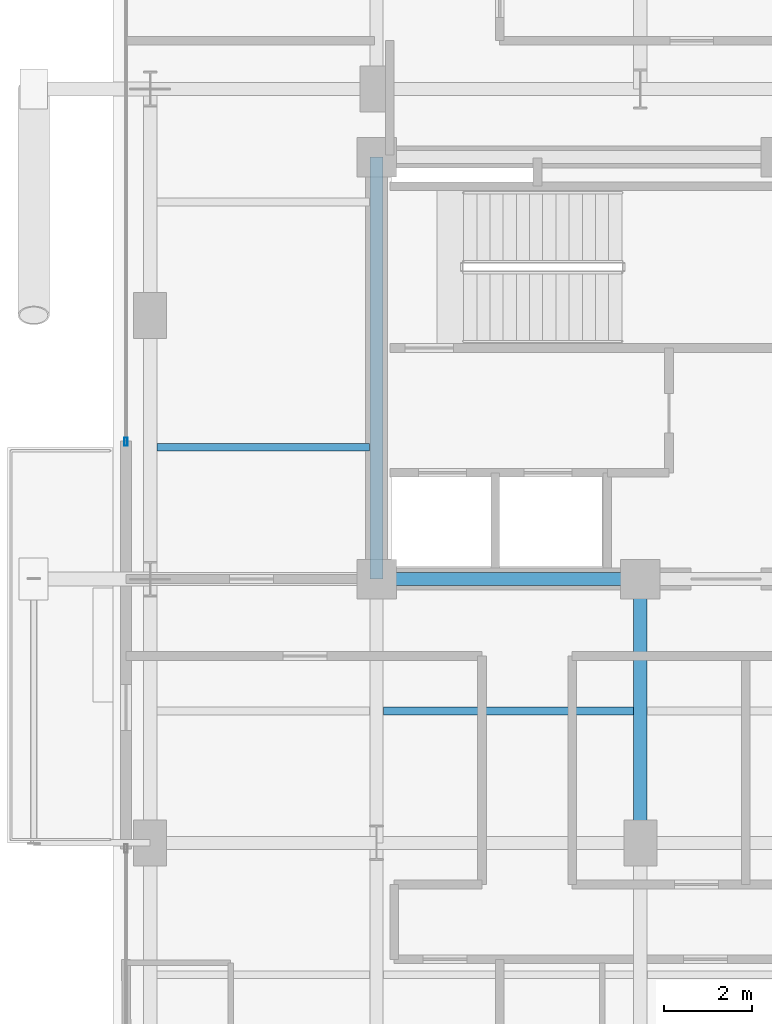
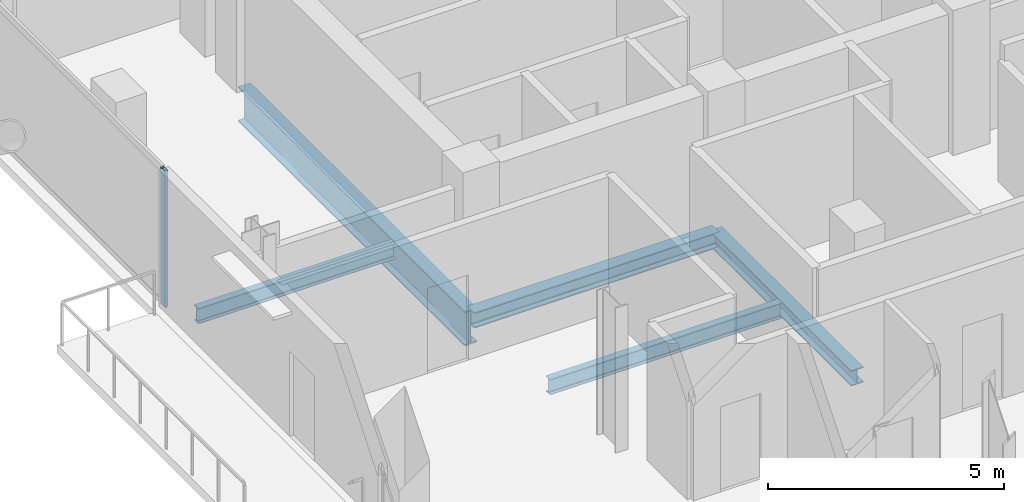
# One storey, part 7 of 22: 5 beams, 1 member, 1 element without a shape of its own.
"""IFC4 building model written with IfcOpenShell, lengths in metres."""

from ifc_helpers import new_model, si_unit, direction, frame, origin, origin_2d, place, context, subcontext, project, spatial, hollow_rectangle, i_section, extrude, material, layer, layer_set, material_profile, profile_set, type_object, element, aggregate, save


model = new_model("IFC4")

# Units and contexts
model_context = context("Model", 3, precision=1e-05, world=origin(), true_north=direction((0.0, 1.0)))
body_context = subcontext(model_context, "Body", "Model", "MODEL_VIEW")
ifc_project = project(units=[si_unit("LENGTHUNIT", "METRE"), si_unit("AREAUNIT", "SQUARE_METRE"), si_unit("VOLUMEUNIT", "CUBIC_METRE"), si_unit("PLANEANGLEUNIT", "RADIAN"), si_unit("MASSUNIT", "GRAM", prefix="KILO"), si_unit("THERMODYNAMICTEMPERATUREUNIT", "KELVIN"), si_unit("POWERUNIT", "WATT")], contexts=[model_context])

# Site, building, storey
site_placement = place(None, origin())
site = spatial("IfcSite", under=ifc_project, at=site_placement, CompositionType="ELEMENT")
building_placement = place(site_placement, origin())
building = spatial("IfcBuilding", under=site, at=building_placement, Name="Svarakhadi Broadcast Tower", CompositionType="ELEMENT")
storey_placement = place(building_placement, frame((0.0, 0.0, 172.949951171875)))
storey = spatial("IfcBuildingStorey", under=building, at=storey_placement, Name="L42", CompositionType="ELEMENT", Elevation=172.949951171875)

# Beams
ifc_material_1 = material(Name="Steel S355J2 (IS 2062 E350C)", Category="steel")
ifc_material_profile_1 = material_profile(ifc_material_1, i_section(OverallWidth=0.179931640625, OverallDepth=0.39990234375, WebThickness=0.008544921875, FlangeThickness=0.013427734375, FilletRadius=0.02099609375, at=origin_2d()), Name="NPB 400x180x66")
ifc_profile_set_1 = profile_set([ifc_material_profile_1], Name="Steel S355J2 (IS 2062 E350C)")
beam_type_1 = type_object("IfcBeamType", Name="Beam_NPB400", PredefinedType="BEAM", material=ifc_profile_set_1)
beam_1_placement = place(storey_placement, frame((1.010009765625, 21.0, -0.409912109375), z_axis=(1.0, 0.0, 0.0), x_axis=(0.0, 1.0, 0.0)))
element("IfcBeam", 1, at=beam_1_placement, inside=storey, type_object=beam_type_1, Name="L42 Secondary Composite Beam SB003", PredefinedType="BEAM", context=body_context, shape_type="SweptSolid", body=[
    extrude(i_section(OverallWidth=0.179931640625, OverallDepth=0.39990234375, WebThickness=0.008544921875, FlangeThickness=0.013427734375, FilletRadius=0.02099609375, at=origin_2d()), origin(), (0.0, 0.0, 1.0), 4.830078125),
])
beam_2_placement = place(storey_placement, frame((6.159912109375, 15.0, -0.409912109375), z_axis=(1.0, 0.0, 0.0), x_axis=(0.0, 1.0, 0.0)))
element("IfcBeam", 2, at=beam_2_placement, inside=storey, type_object=beam_type_1, Name="L42 Secondary Composite Beam SB007", PredefinedType="BEAM", context=body_context, shape_type="SweptSolid", body=[
    extrude(i_section(OverallWidth=0.179931640625, OverallDepth=0.39990234375, WebThickness=0.008544921875, FlangeThickness=0.013427734375, FilletRadius=0.02099609375, at=origin_2d()), origin(), (0.0, 0.0, 1.0), 5.68017578125),
])

# Curtain wall, member
ifc_material_2 = material(Name="Anodised Bronze Aluminium AA 6063-T6", Category="aluminium")
ifc_layer = layer(ifc_material_2, 0.18994140625)
ifc_layer_set = layer_set([ifc_layer], Name="Anodised Bronze Aluminium AA 6063-T6")
curtain_wall_type = type_object("IfcCurtainWallType", Name="CW_Sys_04", PredefinedType="NOTDEFINED", material=ifc_layer_set)
curtain_wall_placement = place(storey_placement, origin())
curtain_wall = element("IfcCurtainWall", 3, at=curtain_wall_placement, inside=storey, type_object=curtain_wall_type, Name="L42 West Curtain Wall 03", PredefinedType="NOTDEFINED")
ifc_material_profile_2 = material_profile(ifc_material_2, hollow_rectangle(XDim=0.070068359375, YDim=0.18994140625, WallThickness=0.005615234375, at=origin_2d()), Name="ALU MULLION 190x70x6")
ifc_profile_set_2 = profile_set([ifc_material_profile_2], Name="Anodised Bronze Aluminium AA 6063-T6")
member_type = type_object("IfcMemberType", Name="CW_Sys_04_Mul", PredefinedType="MULLION", material=ifc_profile_set_2)
member_placement = place(storey_placement, frame((0.300048828125, 21.125, 0.0), z_axis=(0.0, 0.0, 1.0), x_axis=(-1.0, 0.0, 0.0)))
member = element("IfcMember", 4, at=member_placement, type_object=member_type, Name="CW-04 mullion 1", PredefinedType="MULLION", context=body_context, shape_type="SweptSolid", body=[
    extrude(hollow_rectangle(XDim=0.070068359375, YDim=0.18994140625, WallThickness=0.005615234375, at=origin_2d()), origin(), (0.0, 0.0, 1.0), 3.5400390625),
])
aggregate(curtain_wall, [member])

# Beams
ifc_material_profile_3 = material_profile(ifc_material_1, i_section(OverallWidth=0.300048828125, OverallDepth=0.39990234375, WebThickness=0.013427734375, FlangeThickness=0.02392578125, FilletRadius=0.027099609375, at=origin_2d()), Name="WPB 400x300x155")
ifc_profile_set_3 = profile_set([ifc_material_profile_3], Name="Steel S355J2 (IS 2062 E350C)")
beam_type_2 = type_object("IfcBeamType", Name="Girder_WPB400", PredefinedType="USERDEFINED", material=ifc_profile_set_3)
for number, where, z_axis, x_axis, name in (
    (5, (6.0, 18.0, -0.409912109375), (1.0, 0.0, 0.0), (0.0, 1.0, 0.0), "L42 Primary E-W Girder G021"),
    (6, (12.0, 12.0, -0.409912109375), (0.0, 1.0, 0.0), (-1.0, 0.0, 0.0), "L42 Primary N-S Girder G044"),
):
    element("IfcBeam", number, at=place(storey_placement, frame(where, z_axis=z_axis, x_axis=x_axis)), inside=storey, type_object=beam_type_2, Name=name, ObjectType="GIRDER", PredefinedType="USERDEFINED", context=body_context, shape_type="SweptSolid", body=[
        extrude(i_section(OverallWidth=0.300048828125, OverallDepth=0.39990234375, WebThickness=0.013427734375, FlangeThickness=0.02392578125, FilletRadius=0.027099609375, at=origin_2d()), origin(), (0.0, 0.0, 1.0), 6.0),
    ])
ifc_material_3 = material(Name="Steel S460ML (IS 2062 E450BR)", Category="steel")
ifc_material_profile_4 = material_profile(ifc_material_3, i_section(OverallWidth=0.300048828125, OverallDepth=0.89990234375, WebThickness=0.0185546875, FlangeThickness=0.034912109375, FilletRadius=0.030029296875, at=origin_2d()), Name="WPB 900x300x291")
ifc_profile_set_4 = profile_set([ifc_material_profile_4], Name="Steel S460ML (IS 2062 E450BR)")
beam_type_3 = type_object("IfcBeamType", Name="Girder_WPB900", PredefinedType="USERDEFINED", material=ifc_profile_set_4)
beam_3_placement = place(storey_placement, frame((6.0, 18.0, -0.659912109375), z_axis=(0.0, 1.0, 0.0), x_axis=(-1.0, 0.0, 0.0)))
element("IfcBeam", 7, at=beam_3_placement, inside=storey, type_object=beam_type_3, Name="L42 Primary N-S Girder G040", ObjectType="GIRDER", PredefinedType="USERDEFINED", context=body_context, shape_type="SweptSolid", body=[
    extrude(i_section(OverallWidth=0.300048828125, OverallDepth=0.89990234375, WebThickness=0.0185546875, FlangeThickness=0.034912109375, FilletRadius=0.030029296875, at=origin_2d()), origin(), (0.0, 0.0, 1.0), 9.60009765625),
])

save(model, "model.ifc")
